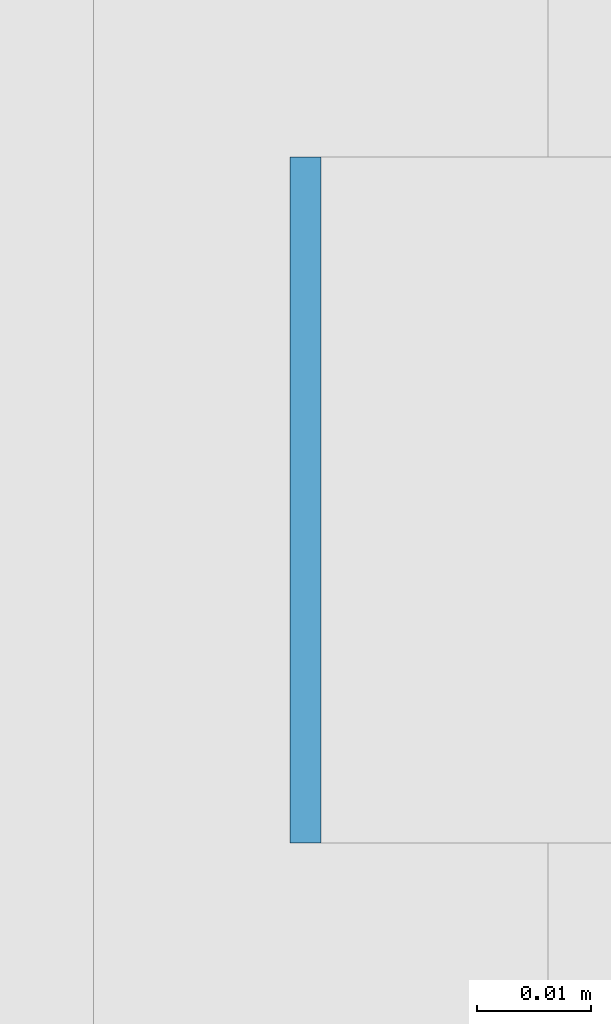
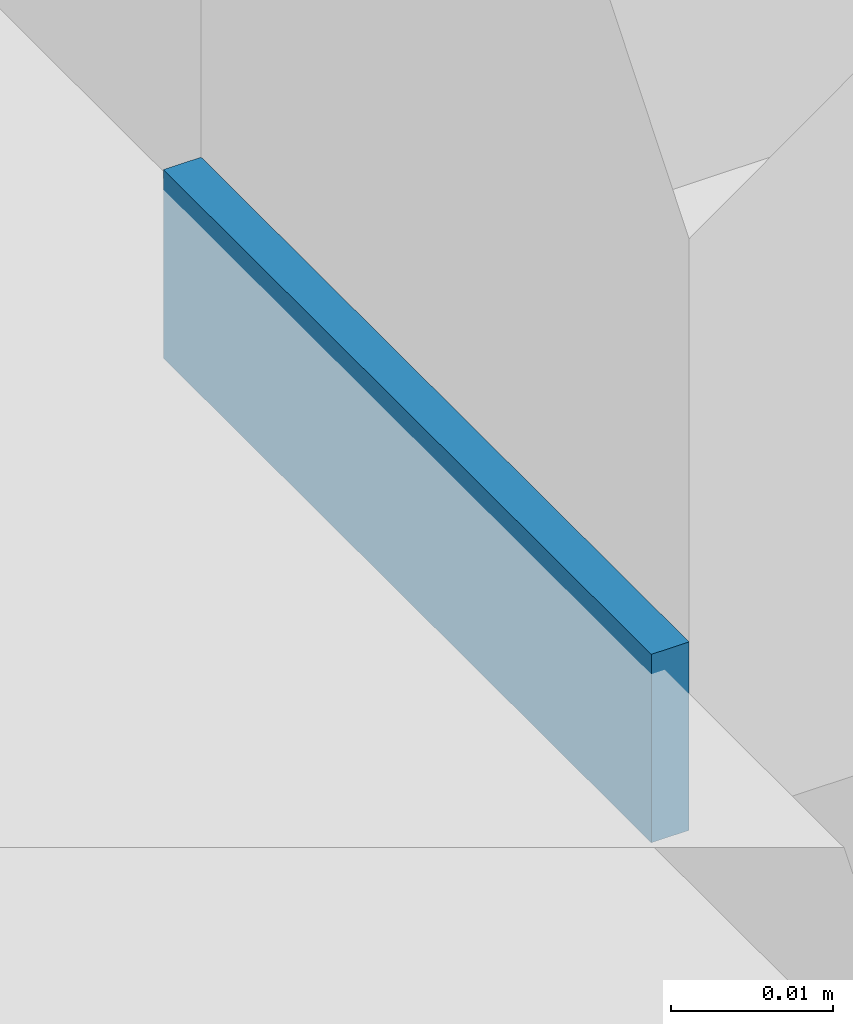
# One storey, part 448 of 646: 1 discrete accessory.
"""IFC4 building model written with IfcOpenShell, lengths in metres."""

from ifc_helpers import new_model, si_unit, direction, frame, origin, origin_2d, place, context, subcontext, project, spatial, rectangle, extrude, material, type_object, element, save


model = new_model("IFC4")

# Units and contexts
model_context = context("Model", 3, precision=1e-05, world=origin(), true_north=direction((0.0, 1.0)))
body_context = subcontext(model_context, "Body", "Model", "MODEL_VIEW")
ifc_project = project(units=[si_unit("LENGTHUNIT", "METRE"), si_unit("AREAUNIT", "SQUARE_METRE"), si_unit("VOLUMEUNIT", "CUBIC_METRE"), si_unit("PLANEANGLEUNIT", "RADIAN"), si_unit("MASSUNIT", "GRAM", prefix="KILO")], contexts=[model_context])

# Site, building, storey
site_placement = place(None, origin())
site = spatial("IfcSite", under=ifc_project, at=site_placement, CompositionType="ELEMENT")
building_placement = place(site_placement, origin())
building = spatial("IfcBuilding", under=site, at=building_placement, Name="Silverbay Arena", CompositionType="ELEMENT")
storey_placement = place(building_placement, frame((0.0, 0.0, 33.5)))
storey = spatial("IfcBuildingStorey", under=building, at=storey_placement, Name="L05", CompositionType="ELEMENT", Elevation=33.5)

# Discrete accessory
ifc_material = material(Name="Steel S355", Category="steel")
discrete_accessory_type = type_object("IfcDiscreteAccessoryType", Name="Steel bracket plate", PredefinedType="BRACKET", material=ifc_material)
discrete_accessory_placement = place(storey_placement, frame((207.128662109375, 37.28564453125, 4.0), z_axis=(0.0, 0.0, 1.0), x_axis=(1.0, 0.0, 0.0)))
element("IfcDiscreteAccessory", 1, at=discrete_accessory_placement, inside=storey, type_object=discrete_accessory_type, Name="Curtain wall packing plate", PredefinedType="BRACKET", context=body_context, shape_type="SweptSolid", body=[
    extrude(rectangle(XDim=0.002685546875, YDim=0.06005859375, at=origin_2d()), origin(), (0.0, 0.0, 1.0), 0.01416015625),
])

save(model, "model.ifc")
